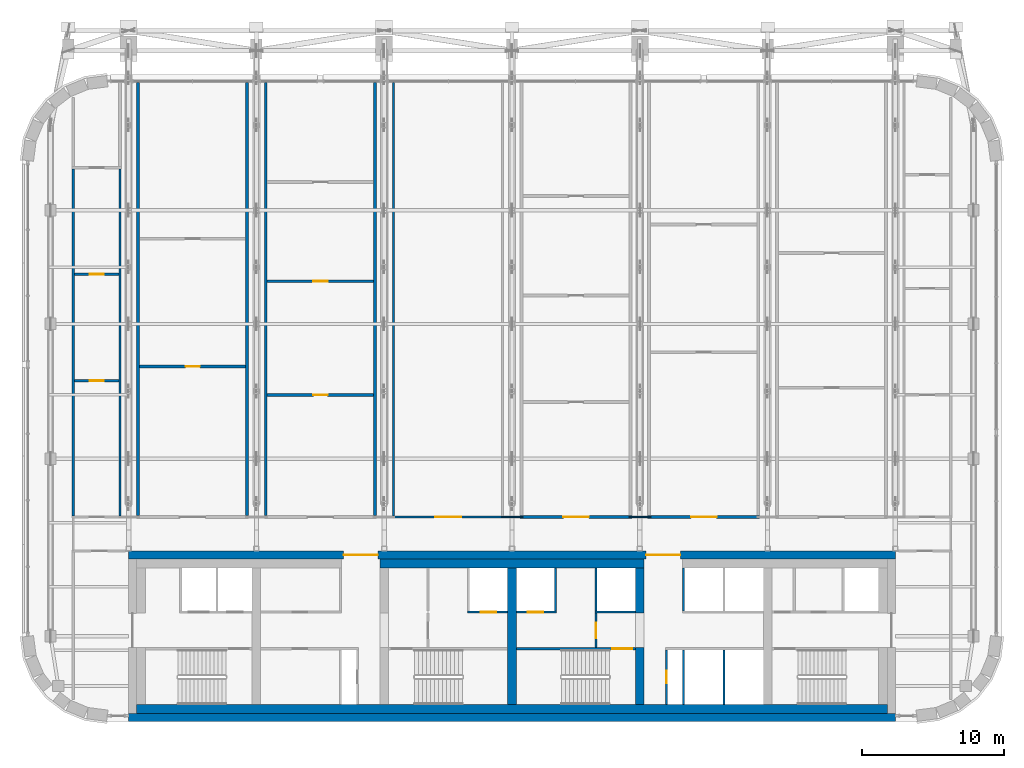
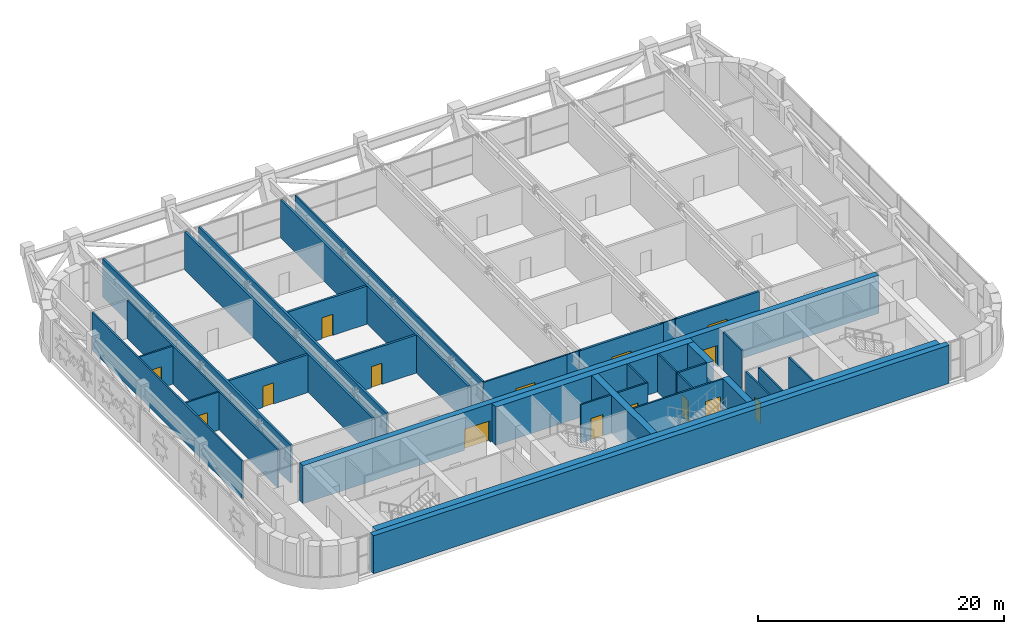
# One storey, part 19 of 28: 35 walls, 15 doors, 15 openings.
"""IFC4 building model written with IfcOpenShell, lengths in metres."""

from ifc_helpers import new_model, si_unit, direction, frame, frame_2d, origin, place, context, subcontext, project, spatial, rectangle, extrude, material, layer, layer_set, type_object, element, fill, save


model = new_model("IFC4")

# Units and contexts
model_context = context("Model", 3, precision=1e-05, world=origin(), true_north=direction((0.0, 1.0)))
body_context = subcontext(model_context, "Body", "Model", "MODEL_VIEW")
ifc_project = project(units=[si_unit("LENGTHUNIT", "METRE"), si_unit("AREAUNIT", "SQUARE_METRE"), si_unit("VOLUMEUNIT", "CUBIC_METRE"), si_unit("PLANEANGLEUNIT", "RADIAN"), si_unit("MASSUNIT", "GRAM", prefix="KILO")], contexts=[model_context])

# Site, building, storey
site_placement = place(None, origin())
site = spatial("IfcSite", under=ifc_project, at=site_placement, CompositionType="ELEMENT")
building_placement = place(site_placement, origin())
building = spatial("IfcBuilding", under=site, at=building_placement, Name="Zellij Exchange Tower", CompositionType="ELEMENT")
storey_placement = place(building_placement, frame((0.0, 0.0, 268.5)))
storey = spatial("IfcBuildingStorey", under=building, at=storey_placement, Name="L63", CompositionType="ELEMENT", Elevation=268.5)

# Walls
ifc_material_1 = material(Name="Concrete C50/60", Category="concrete")
ifc_layer_1 = layer(ifc_material_1, 0.60009765625)
ifc_layer_set_1 = layer_set([ifc_layer_1], Name="Concrete C50/60")
wall_type_1 = type_object("IfcWallType", Name="CORE-CW 600 C50/60", PredefinedType="SHEAR", material=ifc_layer_set_1)
wall_1_placement = place(storey_placement, frame((0.0, -12.800048828125, 0.0), z_axis=(0.0, 0.0, 1.0), x_axis=(0.0, 1.0, 0.0)))
element("IfcWall", 1, at=wall_1_placement, inside=storey, type_object=wall_type_1, Name="Core cross wall x 0 L63", PredefinedType="SHEAR", context=body_context, shape_type="SweptSolid", body=[
    extrude(rectangle(XDim=9.60009765625, YDim=0.60009765625, at=frame_2d((4.800048828125, 0.0))), origin(), (0.0, 0.0, 1.0), 3.780029296875),
])
wall_2_placement = place(storey_placement, frame((9.0, -12.800048828125, 0.0), z_axis=(0.0, 0.0, 1.0), x_axis=(0.0, 1.0, 0.0)))
element("IfcWall", 2, at=wall_2_placement, inside=storey, type_object=wall_type_1, Name="Core cross wall pier x 9 a L63", PredefinedType="SHEAR", context=body_context, shape_type="SweptSolid", body=[
    extrude(rectangle(XDim=4.0, YDim=0.60009765625, at=frame_2d((2.0, 0.0))), origin(), (0.0, 0.0, 1.0), 3.780029296875),
])
wall_3_placement = place(storey_placement, frame((9.0, -6.375, 0.0), z_axis=(0.0, 0.0, 1.0), x_axis=(0.0, 1.0, 0.0)))
element("IfcWall", 3, at=wall_3_placement, inside=storey, type_object=wall_type_1, Name="Core cross wall pier x 9 b L63", PredefinedType="SHEAR", context=body_context, shape_type="SweptSolid", body=[
    extrude(rectangle(XDim=3.175048828125, YDim=0.60009765625, at=frame_2d((1.58740234375, 0.0))), origin(), (0.0, 0.0, 1.0), 3.780029296875),
])
ifc_material_2 = material(Name="Concrete C30/37", Category="concrete")
ifc_layer_2 = layer(ifc_material_2, 0.64990234375)
ifc_layer_set_2 = layer_set([ifc_layer_2], Name="Concrete C30/37")
wall_type_2 = type_object("IfcWallType", Name="CORE-LW 650 C30/37", PredefinedType="SHEAR", material=ifc_layer_set_2)
wall_4_placement = place(storey_placement, frame((-9.300048828125, -2.875, 0.0), z_axis=(0.0, 0.0, 1.0), x_axis=(1.0, 0.0, 0.0)))
element("IfcWall", 4, at=wall_4_placement, inside=storey, type_object=wall_type_2, Name="Core wall lining front.1 L63", PredefinedType="SHEAR", context=body_context, shape_type="SweptSolid", body=[
    extrude(rectangle(XDim=18.60009765625, YDim=0.64990234375, at=frame_2d((9.300048828125, 0.0))), origin(), (0.0, 0.0, 1.0), 3.780029296875),
])
wall_5_placement = place(storey_placement, frame((-26.449951171875, -13.125, 0.0), z_axis=(0.0, 0.0, 1.0), x_axis=(1.0, 0.0, 0.0)))
element("IfcWall", 5, at=wall_5_placement, inside=storey, type_object=wall_type_2, Name="Core wall lining rear.0 L63", PredefinedType="SHEAR", context=body_context, shape_type="SweptSolid", body=[
    extrude(rectangle(XDim=52.89990234375, YDim=0.64990234375, at=frame_2d((26.449951171875, 0.0))), origin(), (0.0, 0.0, 1.0), 3.780029296875),
])

# Wall, opening, door
ifc_material_3 = material(Name="Gypsum shaft wall system")
ifc_layer_3 = layer(ifc_material_3, 0.14990234375)
ifc_layer_set_3 = layer_set([ifc_layer_3], Name="Gypsum shaft wall system")
wall_type_3 = type_object("IfcWallType", Name="CORE-PW 150 Firefighting lobby wall", PredefinedType="PARTITIONING", material=ifc_layer_set_3)
wall_6_placement = place(storey_placement, frame((5.925048828125, -8.800048828125, 0.0), z_axis=(0.0, 0.0, 1.0), x_axis=(0.0, 1.0, 0.0)))
wall_6 = element("IfcWall", 6, at=wall_6_placement, inside=storey, type_object=wall_type_3, Name="Firefighting lobby wall L63", PredefinedType="PARTITIONING", context=body_context, shape_type="SweptSolid", body=[
    extrude(rectangle(XDim=2.425048828125, YDim=0.14990234375, at=frame_2d((1.21240234375, 0.0))), origin(), (0.0, 0.0, 1.0), 3.780029296875),
])
opening_1_placement = place(wall_6_placement, frame((0.662109375, 0.0, 0.0)))
opening_1 = element("IfcOpeningElement", 7, at=opening_1_placement, cuts=wall_6, Name="Opening CA-33.13", PredefinedType="OPENING", context=body_context, shape_type="SweptSolid", body=[
    extrude(rectangle(XDim=1.10009765625, YDim=2.10009765625, at=frame_2d((0.550048828125, 1.050048828125))), frame((0.0, 0.0869140625, 0.0), z_axis=(0.0, -1.0, 0.0), x_axis=(1.0, 0.0, 0.0)), (0.0, 0.0, 1.0), 0.173828125),
])
ifc_material_4 = material(Name="Hollow metal fire door")
door_type_1 = type_object("IfcDoorType", Name="CORE-D F Firefighting lobby door 1100x2100 1 HR", OperationType="NOTDEFINED", PredefinedType="DOOR", material=ifc_material_4)
door_1_placement = place(opening_1_placement, origin())
door_1 = element("IfcDoor", 8, at=door_1_placement, inside=storey, type_object=door_type_1, Name="Firefighting lobby door CA-33.13", OperationType="SINGLE_SWING_RIGHT", OverallHeight=2.10009765625, OverallWidth=1.10009765625, PredefinedType="DOOR", context=body_context, shape_type="SweptSolid", body=[
    extrude(rectangle(XDim=1.10009765625, YDim=2.10009765625, at=frame_2d((0.550048828125, 1.050048828125))), frame((0.0, 0.02490234375, 0.0), z_axis=(0.0, -1.0, 0.0), x_axis=(1.0, 0.0, 0.0)), (0.0, 0.0, 1.0), 0.050048828125),
])
fill(opening_1, door_1)

# Walls
ifc_layer_4 = layer(ifc_material_3, 0.14990234375)
ifc_layer_set_4 = layer_set([ifc_layer_4], Name="Gypsum shaft wall system")
wall_type_4 = type_object("IfcWallType", Name="CORE-PW 150 Lift shaft wall", PredefinedType="PARTITIONING", material=ifc_layer_set_4)
for number, where, z_axis, x_axis, name in (
    (9, (3.074951171875, -6.22509765625, 0.0), (0.0, 0.0, 1.0), (0.0, 1.0, 0.0), "Lift shaft wall L63"),
    (10, (5.925048828125, -6.22509765625, 0.0), (0.0, 0.0, 1.0), (0.0, 1.0, 0.0), "Lift shaft wall L63"),
    (11, (12.074951171875, -6.22509765625, 0.0), (0.0, 0.0, 1.0), (0.0, 1.0, 0.0), "Lift shaft wall L63"),
):
    element("IfcWall", number, at=place(storey_placement, frame(where, z_axis=z_axis, x_axis=x_axis)), inside=storey, type_object=wall_type_4, Name=name, PredefinedType="PARTITIONING", context=body_context, shape_type="SweptSolid", body=[
        extrude(rectangle(XDim=3.025146484375, YDim=0.14990234375, at=frame_2d((1.5126953125, 0.0))), origin(), (0.0, 0.0, 1.0), 3.780029296875),
    ])
for number, where, z_axis, x_axis, name in (
    (12, (12.074951171875, -12.800048828125, 0.0), (0.0, 0.0, 1.0), (0.0, 1.0, 0.0), "Lift shaft wall L63"),
    (13, (14.925048828125, -12.800048828125, 0.0), (0.0, 0.0, 1.0), (0.0, 1.0, 0.0), "Lift shaft wall L63"),
):
    element("IfcWall", number, at=place(storey_placement, frame(where, z_axis=z_axis, x_axis=x_axis)), inside=storey, type_object=wall_type_4, Name=name, PredefinedType="PARTITIONING", context=body_context, shape_type="SweptSolid", body=[
        extrude(rectangle(XDim=3.85009765625, YDim=0.14990234375, at=frame_2d((1.925048828125, 0.0))), origin(), (0.0, 0.0, 1.0), 3.780029296875),
    ])

# Wall, opening, door
wall_7_placement = place(storey_placement, frame((-3.14990234375, -6.300048828125, 0.0), z_axis=(0.0, 0.0, 1.0), x_axis=(1.0, 0.0, 0.0)))
wall_7 = element("IfcWall", 14, at=wall_7_placement, inside=storey, type_object=wall_type_4, Name="Lift shaft wall L63", PredefinedType="PARTITIONING", context=body_context, shape_type="SweptSolid", body=[
    extrude(rectangle(XDim=2.849853515625, YDim=0.14990234375, at=frame_2d((1.4248046875, 0.0))), origin(), (0.0, 0.0, 1.0), 3.780029296875),
])
opening_2_placement = place(wall_7_placement, frame((0.949951171875, 0.0, 0.0)))
opening_2 = element("IfcOpeningElement", 15, at=opening_2_placement, cuts=wall_7, Name="Opening CA-33.11", PredefinedType="OPENING", context=body_context, shape_type="SweptSolid", body=[
    extrude(rectangle(XDim=1.10009765625, YDim=2.10009765625, at=frame_2d((0.550048828125, 1.050048828125))), frame((0.0, 0.0869140625, 0.0), z_axis=(0.0, -1.0, 0.0), x_axis=(1.0, 0.0, 0.0)), (0.0, 0.0, 1.0), 0.173828125),
])
door_type_2 = type_object("IfcDoorType", Name="CORE-D LD Lift landing door 1100x2100 1.5 HR", OperationType="NOTDEFINED", PredefinedType="DOOR", material=ifc_material_4)
door_2_placement = place(opening_2_placement, origin())
door_2 = element("IfcDoor", 16, at=door_2_placement, inside=storey, type_object=door_type_2, Name="Lift landing door CA-33.11", OperationType="SLIDING_TO_LEFT", OverallHeight=2.10009765625, OverallWidth=1.10009765625, PredefinedType="DOOR", context=body_context, shape_type="SweptSolid", body=[
    extrude(rectangle(XDim=1.10009765625, YDim=2.10009765625, at=frame_2d((0.550048828125, 1.050048828125))), frame((0.0, 0.02490234375, 0.0), z_axis=(0.0, -1.0, 0.0), x_axis=(1.0, 0.0, 0.0)), (0.0, 0.0, 1.0), 0.050048828125),
])
fill(opening_2, door_2)

wall_8_placement = place(storey_placement, frame((0.300048828125, -6.300048828125, 0.0), z_axis=(0.0, 0.0, 1.0), x_axis=(1.0, 0.0, 0.0)))
wall_8 = element("IfcWall", 17, at=wall_8_placement, inside=storey, type_object=wall_type_4, Name="Lift shaft wall L63", PredefinedType="PARTITIONING", context=body_context, shape_type="SweptSolid", body=[
    extrude(rectangle(XDim=2.849853515625, YDim=0.14990234375, at=frame_2d((1.4248046875, 0.0))), origin(), (0.0, 0.0, 1.0), 3.780029296875),
])
opening_3_placement = place(wall_8_placement, frame((0.800048828125, 0.0, 0.0)))
opening_3 = element("IfcOpeningElement", 18, at=opening_3_placement, cuts=wall_8, Name="Opening CA-33.12", PredefinedType="OPENING", context=body_context, shape_type="SweptSolid", body=[
    extrude(rectangle(XDim=1.10009765625, YDim=2.10009765625, at=frame_2d((0.550048828125, 1.050048828125))), frame((0.0, 0.0869140625, 0.0), z_axis=(0.0, -1.0, 0.0), x_axis=(1.0, 0.0, 0.0)), (0.0, 0.0, 1.0), 0.173828125),
])
door_3_placement = place(opening_3_placement, origin())
door_3 = element("IfcDoor", 19, at=door_3_placement, inside=storey, type_object=door_type_2, Name="Lift landing door CA-33.12", OperationType="SLIDING_TO_RIGHT", OverallHeight=2.10009765625, OverallWidth=1.10009765625, PredefinedType="DOOR", context=body_context, shape_type="SweptSolid", body=[
    extrude(rectangle(XDim=1.10009765625, YDim=2.10009765625, at=frame_2d((0.550048828125, 1.050048828125))), frame((0.0, 0.02490234375, 0.0), z_axis=(0.0, -1.0, 0.0), x_axis=(1.0, 0.0, 0.0)), (0.0, 0.0, 1.0), 0.050048828125),
])
fill(opening_3, door_3)

# Wall
wall_9_placement = place(storey_placement, frame((5.85009765625, -6.300048828125, 0.0), z_axis=(0.0, 0.0, 1.0), x_axis=(1.0, 0.0, 0.0)))
element("IfcWall", 20, at=wall_9_placement, inside=storey, type_object=wall_type_4, Name="Lift shaft wall L63", PredefinedType="PARTITIONING", context=body_context, shape_type="SweptSolid", body=[
    extrude(rectangle(XDim=2.849853515625, YDim=0.14990234375, at=frame_2d((1.4248046875, 0.0))), origin(), (0.0, 0.0, 1.0), 3.780029296875),
])

# Wall, opening, door
ifc_layer_5 = layer(ifc_material_3, 0.14990234375)
ifc_layer_set_5 = layer_set([ifc_layer_5], Name="Gypsum shaft wall system")
wall_type_5 = type_object("IfcWallType", Name="CORE-PW 150 Plant room wall", PredefinedType="PARTITIONING", material=ifc_layer_set_5)
wall_10_placement = place(storey_placement, frame((10.875, -12.800048828125, 0.0), z_axis=(0.0, 0.0, 1.0), x_axis=(0.0, 1.0, 0.0)))
wall_10 = element("IfcWall", 21, at=wall_10_placement, inside=storey, type_object=wall_type_5, Name="Plant room wall L63", PredefinedType="PARTITIONING", context=body_context, shape_type="SweptSolid", body=[
    extrude(rectangle(XDim=3.85009765625, YDim=0.14990234375, at=frame_2d((1.925048828125, 0.0))), origin(), (0.0, 0.0, 1.0), 3.780029296875),
])
opening_4_placement = place(wall_10_placement, frame((1.47509765625, 0.0, 0.0)))
opening_4 = element("IfcOpeningElement", 22, at=opening_4_placement, cuts=wall_10, Name="Opening CA-33.16", PredefinedType="OPENING", context=body_context, shape_type="SweptSolid", body=[
    extrude(rectangle(XDim=0.89990234375, YDim=2.10009765625, at=frame_2d((0.449951171875, 1.050048828125))), frame((0.0, 0.0869140625, 0.0), z_axis=(0.0, -1.0, 0.0), x_axis=(1.0, 0.0, 0.0)), (0.0, 0.0, 1.0), 0.173828125),
])
door_type_3 = type_object("IfcDoorType", Name="CORE-D RD Riser door 900x2100 1.5 HR", OperationType="NOTDEFINED", PredefinedType="DOOR", material=ifc_material_4)
door_4_placement = place(opening_4_placement, origin())
door_4 = element("IfcDoor", 23, at=door_4_placement, inside=storey, type_object=door_type_3, Name="Riser door CA-33.16", OperationType="SINGLE_SWING_LEFT", OverallHeight=2.10009765625, OverallWidth=0.89990234375, PredefinedType="DOOR", context=body_context, shape_type="SweptSolid", body=[
    extrude(rectangle(XDim=0.89990234375, YDim=2.10009765625, at=frame_2d((0.449951171875, 1.050048828125))), frame((0.0, 0.02490234375, 0.0), z_axis=(0.0, -1.0, 0.0), x_axis=(1.0, 0.0, 0.0)), (0.0, 0.0, 1.0), 0.050048828125),
])
fill(opening_4, door_4)

# Wall, openings, doors
ifc_layer_6 = layer(ifc_material_1, 0.550048828125)
ifc_layer_set_6 = layer_set([ifc_layer_6], Name="Concrete C50/60")
wall_type_6 = type_object("IfcWallType", Name="CORE-SW 550 C50/60", PredefinedType="SHEAR", material=ifc_layer_set_6)
wall_11_placement = place(storey_placement, frame((-27.0, -2.27490234375, 0.0), z_axis=(0.0, 0.0, 1.0), x_axis=(1.0, 0.0, 0.0)))
wall_11 = element("IfcWall", 24, at=wall_11_placement, inside=storey, type_object=wall_type_6, Name="Core shear wall front L63", PredefinedType="SHEAR", context=body_context, shape_type="SweptSolid", body=[
    extrude(rectangle(XDim=54.0, YDim=0.550048828125, at=frame_2d((27.0, 0.0))), origin(), (0.0, 0.0, 1.0), 3.780029296875),
])
opening_5_placement = place(wall_11_placement, frame((15.14990234375, 0.0, 0.0)))
opening_5 = element("IfcOpeningElement", 25, at=opening_5_placement, cuts=wall_11, Name="Opening CA-33.08", PredefinedType="OPENING", context=body_context, shape_type="SweptSolid", body=[
    extrude(rectangle(XDim=2.39990234375, YDim=2.10009765625, at=frame_2d((1.199951171875, 1.050048828125))), frame((0.0, 0.287109375, 0.0), z_axis=(0.0, -1.0, 0.0), x_axis=(1.0, 0.0, 0.0)), (0.0, 0.0, 1.0), 0.573974609375),
])
opening_6_placement = place(wall_11_placement, frame((36.449951171875, 0.0, 0.0)))
opening_6 = element("IfcOpeningElement", 26, at=opening_6_placement, cuts=wall_11, Name="Opening CA-33.15", PredefinedType="OPENING", context=body_context, shape_type="SweptSolid", body=[
    extrude(rectangle(XDim=2.39990234375, YDim=2.10009765625, at=frame_2d((1.199951171875, 1.050048828125))), frame((0.0, 0.287109375, 0.0), z_axis=(0.0, -1.0, 0.0), x_axis=(1.0, 0.0, 0.0)), (0.0, 0.0, 1.0), 0.573974609375),
])
door_type_4 = type_object("IfcDoorType", Name="CORE-D CE Core entrance door 2400x2100 20 MIN", OperationType="NOTDEFINED", PredefinedType="DOOR", material=ifc_material_4)
door_5_placement = place(opening_5_placement, origin())
door_5 = element("IfcDoor", 27, at=door_5_placement, inside=storey, type_object=door_type_4, Name="Core entrance door CA-33.08", OperationType="DOUBLE_DOOR_SINGLE_SWING", OverallHeight=2.10009765625, OverallWidth=2.39990234375, PredefinedType="DOOR", context=body_context, shape_type="SweptSolid", body=[
    extrude(rectangle(XDim=2.39990234375, YDim=2.10009765625, at=frame_2d((1.199951171875, 1.050048828125))), frame((0.0, 0.02490234375, 0.0), z_axis=(0.0, -1.0, 0.0), x_axis=(1.0, 0.0, 0.0)), (0.0, 0.0, 1.0), 0.050048828125),
])
fill(opening_5, door_5)
door_6_placement = place(opening_6_placement, origin())
door_6 = element("IfcDoor", 28, at=door_6_placement, inside=storey, type_object=door_type_4, Name="Core entrance door CA-33.15", OperationType="DOUBLE_DOOR_SINGLE_SWING", OverallHeight=2.10009765625, OverallWidth=2.39990234375, PredefinedType="DOOR", context=body_context, shape_type="SweptSolid", body=[
    extrude(rectangle(XDim=2.39990234375, YDim=2.10009765625, at=frame_2d((1.199951171875, 1.050048828125))), frame((0.0, 0.02490234375, 0.0), z_axis=(0.0, -1.0, 0.0), x_axis=(1.0, 0.0, 0.0)), (0.0, 0.0, 1.0), 0.050048828125),
])
fill(opening_6, door_6)

# Wall
wall_12_placement = place(storey_placement, frame((-27.0, -13.72509765625, 0.0), z_axis=(0.0, 0.0, 1.0), x_axis=(1.0, 0.0, 0.0)))
element("IfcWall", 29, at=wall_12_placement, inside=storey, type_object=wall_type_6, Name="Core shear wall rear L63", PredefinedType="SHEAR", context=body_context, shape_type="SweptSolid", body=[
    extrude(rectangle(XDim=54.0, YDim=0.550048828125, at=frame_2d((27.0, 0.0))), origin(), (0.0, 0.0, 1.0), 3.780029296875),
])

# Wall, opening, door
ifc_layer_7 = layer(ifc_material_1, 0.14990234375)
ifc_layer_set_7 = layer_set([ifc_layer_7], Name="Concrete C50/60")
wall_type_7 = type_object("IfcWallType", Name="CORE-SWS 150 C50/60", PredefinedType="SHEAR", material=ifc_layer_set_7)
wall_13_placement = place(storey_placement, frame((0.300048828125, -8.875, 0.0), z_axis=(0.0, 0.0, 1.0), x_axis=(1.0, 0.0, 0.0)))
wall_13 = element("IfcWall", 30, at=wall_13_placement, inside=storey, type_object=wall_type_7, Name="Stair enclosure wall L63", PredefinedType="SHEAR", context=body_context, shape_type="SweptSolid", body=[
    extrude(rectangle(XDim=8.39990234375, YDim=0.14990234375, at=frame_2d((4.199951171875, 0.0))), origin(), (0.0, 0.0, 1.0), 3.780029296875),
])
opening_7_placement = place(wall_13_placement, frame((6.77490234375, 0.0, 0.0)))
opening_7 = element("IfcOpeningElement", 31, at=opening_7_placement, cuts=wall_13, Name="Opening CA-33.14", PredefinedType="OPENING", context=body_context, shape_type="SweptSolid", body=[
    extrude(rectangle(XDim=1.39990234375, YDim=2.10009765625, at=frame_2d((0.699951171875, 1.050048828125))), frame((0.0, 0.0869140625, 0.0), z_axis=(0.0, -1.0, 0.0), x_axis=(1.0, 0.0, 0.0)), (0.0, 0.0, 1.0), 0.173828125),
])
door_type_5 = type_object("IfcDoorType", Name="CORE-D SD Stair door 1400x2100 1.5 HR", OperationType="NOTDEFINED", PredefinedType="DOOR", material=ifc_material_4)
door_7_placement = place(opening_7_placement, origin())
door_7 = element("IfcDoor", 32, at=door_7_placement, inside=storey, type_object=door_type_5, Name="Stair door CA-33.14", OperationType="DOUBLE_DOOR_SINGLE_SWING", OverallHeight=2.10009765625, OverallWidth=1.39990234375, PredefinedType="DOOR", context=body_context, shape_type="SweptSolid", body=[
    extrude(rectangle(XDim=1.39990234375, YDim=2.10009765625, at=frame_2d((0.699951171875, 1.050048828125))), frame((0.0, 0.02490234375, 0.0), z_axis=(0.0, -1.0, 0.0), x_axis=(1.0, 0.0, 0.0)), (0.0, 0.0, 1.0), 0.050048828125),
])
fill(opening_7, door_7)

# Walls
ifc_material_5 = material(Name="Blockwork fire wall", Category="masonry")
ifc_layer_8 = layer(ifc_material_5, 0.199951171875)
ifc_layer_set_8 = layer_set([ifc_layer_8], Name="Blockwork fire wall")
wall_type_8 = type_object("IfcWallType", Name="FIT-BLOCKWORK-200-EI120", PredefinedType="PARTITIONING", material=ifc_layer_set_8)
for number, where, z_axis, x_axis, name in (
    (33, (-26.340087890625, 0.5, 0.0), (0.0, 0.0, 1.0), (0.0, 1.0, 0.0), "FIT-BLOCKWORK-200-EI120 012"),
    (34, (-18.659912109375, 0.5, 0.0), (0.0, 0.0, 1.0), (0.0, 1.0, 0.0), "FIT-BLOCKWORK-200-EI120 014"),
    (35, (-17.340087890625, 0.5, 0.0), (0.0, 0.0, 1.0), (0.0, 1.0, 0.0), "FIT-BLOCKWORK-200-EI120 016"),
    (36, (-9.659912109375, 0.5, 0.0), (0.0, 0.0, 1.0), (0.0, 1.0, 0.0), "FIT-BLOCKWORK-200-EI120 018"),
):
    element("IfcWall", number, at=place(storey_placement, frame(where, z_axis=z_axis, x_axis=x_axis)), inside=storey, type_object=wall_type_8, Name=name, PredefinedType="PARTITIONING", context=body_context, shape_type="SweptSolid", body=[
        extrude(rectangle(XDim=30.49609375, YDim=0.199951171875, at=frame_2d((15.248046875, 0.0))), origin(), (0.0, 0.0, 1.0), 3.780029296875),
    ])

# Wall, opening, door
wall_14_placement = place(storey_placement, frame((0.56005859375, 0.39990234375, 0.0), z_axis=(0.0, 0.0, 1.0), x_axis=(1.0, 0.0, 0.0)))
wall_14 = element("IfcWall", 37, at=wall_14_placement, inside=storey, type_object=wall_type_8, Name="FIT-BLOCKWORK-200-EI120 023", PredefinedType="PARTITIONING", context=body_context, shape_type="SweptSolid", body=[
    extrude(rectangle(XDim=7.8798828125, YDim=0.199951171875, at=frame_2d((3.93994140625, 0.0))), origin(), (0.0, 0.0, 1.0), 3.780029296875),
])
opening_8_placement = place(wall_14_placement, frame((3.050048828125, 0.0, 0.0)))
opening_8 = element("IfcOpeningElement", 38, at=opening_8_placement, cuts=wall_14, Name="Opening PL63.07", PredefinedType="OPENING", context=body_context, shape_type="SweptSolid", body=[
    extrude(rectangle(XDim=1.800048828125, YDim=2.10009765625, at=frame_2d((0.89990234375, 1.050048828125))), frame((0.0, 0.11181640625, 0.0), z_axis=(0.0, -1.0, 0.0), x_axis=(1.0, 0.0, 0.0)), (0.0, 0.0, 1.0), 0.223876953125),
])
ifc_material_6 = material(Name="Steel fire door set", Category="steel")
door_type_6 = type_object("IfcDoorType", Name="FIT-D5-FIRE-DOUBLE-1800X2100", OperationType="DOUBLE_DOOR_SINGLE_SWING", PredefinedType="DOOR", material=ifc_material_6)
door_8_placement = place(opening_8_placement, origin())
door_8 = element("IfcDoor", 39, at=door_8_placement, inside=storey, type_object=door_type_6, Name="Door PL63.07", OperationType="DOUBLE_DOOR_SINGLE_SWING", OverallHeight=2.10009765625, OverallWidth=1.800048828125, PredefinedType="DOOR", context=body_context, shape_type="SweptSolid", body=[
    extrude(rectangle(XDim=1.800048828125, YDim=2.10009765625, at=frame_2d((0.89990234375, 1.050048828125))), frame((0.0, 0.02490234375, 0.0), z_axis=(0.0, -1.0, 0.0), x_axis=(1.0, 0.0, 0.0)), (0.0, 0.0, 1.0), 0.050048828125),
])
fill(opening_8, door_8)

wall_15_placement = place(storey_placement, frame((9.56005859375, 0.39990234375, 0.0), z_axis=(0.0, 0.0, 1.0), x_axis=(1.0, 0.0, 0.0)))
wall_15 = element("IfcWall", 40, at=wall_15_placement, inside=storey, type_object=wall_type_8, Name="FIT-BLOCKWORK-200-EI120 027", PredefinedType="PARTITIONING", context=body_context, shape_type="SweptSolid", body=[
    extrude(rectangle(XDim=7.8798828125, YDim=0.199951171875, at=frame_2d((3.93994140625, 0.0))), origin(), (0.0, 0.0, 1.0), 3.780029296875),
])
opening_9_placement = place(wall_15_placement, frame((3.050048828125, 0.0, 0.0)))
opening_9 = element("IfcOpeningElement", 41, at=opening_9_placement, cuts=wall_15, Name="Opening PL63.08", PredefinedType="OPENING", context=body_context, shape_type="SweptSolid", body=[
    extrude(rectangle(XDim=1.800048828125, YDim=2.10009765625, at=frame_2d((0.89990234375, 1.050048828125))), frame((0.0, 0.11181640625, 0.0), z_axis=(0.0, -1.0, 0.0), x_axis=(1.0, 0.0, 0.0)), (0.0, 0.0, 1.0), 0.223876953125),
])
door_9_placement = place(opening_9_placement, origin())
door_9 = element("IfcDoor", 42, at=door_9_placement, inside=storey, type_object=door_type_6, Name="Door PL63.08", OperationType="DOUBLE_DOOR_SINGLE_SWING", OverallHeight=2.10009765625, OverallWidth=1.800048828125, PredefinedType="DOOR", context=body_context, shape_type="SweptSolid", body=[
    extrude(rectangle(XDim=1.800048828125, YDim=2.10009765625, at=frame_2d((0.89990234375, 1.050048828125))), frame((0.0, 0.02490234375, 0.0), z_axis=(0.0, -1.0, 0.0), x_axis=(1.0, 0.0, 0.0)), (0.0, 0.0, 1.0), 0.050048828125),
])
fill(opening_9, door_9)

wall_16_placement = place(storey_placement, frame((-17.239990234375, 9.0, 0.0), z_axis=(0.0, 0.0, 1.0), x_axis=(1.0, 0.0, 0.0)))
wall_16 = element("IfcWall", 43, at=wall_16_placement, inside=storey, type_object=wall_type_8, Name="FIT-BLOCKWORK-200-EI120 039", PredefinedType="PARTITIONING", context=body_context, shape_type="SweptSolid", body=[
    extrude(rectangle(XDim=7.47998046875, YDim=0.199951171875, at=frame_2d((3.739990234375, 0.0))), origin(), (0.0, 0.0, 1.0), 3.780029296875),
])
opening_10_placement = place(wall_16_placement, frame((3.25, 0.0, 0.0)))
opening_10 = element("IfcOpeningElement", 44, at=opening_10_placement, cuts=wall_16, Name="Opening PL63.12", PredefinedType="OPENING", context=body_context, shape_type="SweptSolid", body=[
    extrude(rectangle(XDim=1.0, YDim=2.10009765625, at=frame_2d((0.5, 1.050048828125))), frame((0.0, 0.11181640625, 0.0), z_axis=(0.0, -1.0, 0.0), x_axis=(1.0, 0.0, 0.0)), (0.0, 0.0, 1.0), 0.223876953125),
])
door_type_7 = type_object("IfcDoorType", Name="FIT-D4-FIRE-1000X2100", OperationType="SINGLE_SWING_LEFT", PredefinedType="DOOR", material=ifc_material_6)
door_10_placement = place(opening_10_placement, origin())
door_10 = element("IfcDoor", 45, at=door_10_placement, inside=storey, type_object=door_type_7, Name="Door PL63.12", OperationType="SINGLE_SWING_RIGHT", OverallHeight=2.10009765625, OverallWidth=1.0, PredefinedType="DOOR", context=body_context, shape_type="SweptSolid", body=[
    extrude(rectangle(XDim=1.0, YDim=2.10009765625, at=frame_2d((0.5, 1.050048828125))), frame((0.0, 0.02490234375, 0.0), z_axis=(0.0, -1.0, 0.0), x_axis=(1.0, 0.0, 0.0)), (0.0, 0.0, 1.0), 0.050048828125),
])
fill(opening_10, door_10)

wall_17_placement = place(storey_placement, frame((-26.239990234375, 11.0, 0.0), z_axis=(0.0, 0.0, 1.0), x_axis=(1.0, 0.0, 0.0)))
wall_17 = element("IfcWall", 46, at=wall_17_placement, inside=storey, type_object=wall_type_8, Name="FIT-BLOCKWORK-200-EI120 043", PredefinedType="PARTITIONING", context=body_context, shape_type="SweptSolid", body=[
    extrude(rectangle(XDim=7.47998046875, YDim=0.199951171875, at=frame_2d((3.739990234375, 0.0))), origin(), (0.0, 0.0, 1.0), 3.780029296875),
])
opening_11_placement = place(wall_17_placement, frame((3.25, 0.0, 0.0)))
opening_11 = element("IfcOpeningElement", 47, at=opening_11_placement, cuts=wall_17, Name="Opening PL63.16", PredefinedType="OPENING", context=body_context, shape_type="SweptSolid", body=[
    extrude(rectangle(XDim=1.0, YDim=2.10009765625, at=frame_2d((0.5, 1.050048828125))), frame((0.0, 0.11181640625, 0.0), z_axis=(0.0, -1.0, 0.0), x_axis=(1.0, 0.0, 0.0)), (0.0, 0.0, 1.0), 0.223876953125),
])
door_11_placement = place(opening_11_placement, origin())
door_11 = element("IfcDoor", 48, at=door_11_placement, inside=storey, type_object=door_type_7, Name="Door PL63.16", OperationType="SINGLE_SWING_RIGHT", OverallHeight=2.10009765625, OverallWidth=1.0, PredefinedType="DOOR", context=body_context, shape_type="SweptSolid", body=[
    extrude(rectangle(XDim=1.0, YDim=2.10009765625, at=frame_2d((0.5, 1.050048828125))), frame((0.0, 0.02490234375, 0.0), z_axis=(0.0, -1.0, 0.0), x_axis=(1.0, 0.0, 0.0)), (0.0, 0.0, 1.0), 0.050048828125),
])
fill(opening_11, door_11)

wall_18_placement = place(storey_placement, frame((-17.239990234375, 17.0, 0.0), z_axis=(0.0, 0.0, 1.0), x_axis=(1.0, 0.0, 0.0)))
wall_18 = element("IfcWall", 49, at=wall_18_placement, inside=storey, type_object=wall_type_8, Name="FIT-BLOCKWORK-200-EI120 047", PredefinedType="PARTITIONING", context=body_context, shape_type="SweptSolid", body=[
    extrude(rectangle(XDim=7.47998046875, YDim=0.199951171875, at=frame_2d((3.739990234375, 0.0))), origin(), (0.0, 0.0, 1.0), 3.780029296875),
])
opening_12_placement = place(wall_18_placement, frame((3.25, 0.0, 0.0)))
opening_12 = element("IfcOpeningElement", 50, at=opening_12_placement, cuts=wall_18, Name="Opening PL63.20", PredefinedType="OPENING", context=body_context, shape_type="SweptSolid", body=[
    extrude(rectangle(XDim=1.0, YDim=2.10009765625, at=frame_2d((0.5, 1.050048828125))), frame((0.0, 0.11181640625, 0.0), z_axis=(0.0, -1.0, 0.0), x_axis=(1.0, 0.0, 0.0)), (0.0, 0.0, 1.0), 0.223876953125),
])
door_12_placement = place(opening_12_placement, origin())
door_12 = element("IfcDoor", 51, at=door_12_placement, inside=storey, type_object=door_type_7, Name="Door PL63.20", OperationType="SINGLE_SWING_RIGHT", OverallHeight=2.10009765625, OverallWidth=1.0, PredefinedType="DOOR", context=body_context, shape_type="SweptSolid", body=[
    extrude(rectangle(XDim=1.0, YDim=2.10009765625, at=frame_2d((0.5, 1.050048828125))), frame((0.0, 0.02490234375, 0.0), z_axis=(0.0, -1.0, 0.0), x_axis=(1.0, 0.0, 0.0)), (0.0, 0.0, 1.0), 0.050048828125),
])
fill(opening_12, door_12)

# Walls
ifc_material_7 = material(Name="Gypsum board partition on steel studs", Category="steel")
ifc_layer_9 = layer(ifc_material_7, 0.10009765625)
ifc_layer_set_9 = layer_set([ifc_layer_9], Name="Gypsum board partition on steel studs")
wall_type_9 = type_object("IfcWallType", Name="FIT-PARTITION-100", PredefinedType="PARTITIONING", material=ifc_layer_set_9)
wall_19_placement = place(storey_placement, frame((-0.735107421875, 0.39990234375, 0.0), z_axis=(0.0, 0.0, 1.0), x_axis=(1.0, 0.0, 0.0)))
element("IfcWall", 52, at=wall_19_placement, inside=storey, type_object=wall_type_9, Name="FIT-PARTITION-100 021", PredefinedType="PARTITIONING", context=body_context, shape_type="SweptSolid", body=[
    extrude(rectangle(XDim=1.4951171875, YDim=0.10009765625, at=frame_2d((0.74755859375, 0.0))), origin(), (0.0, 0.0, 1.0), 3.780029296875),
])
wall_20_placement = place(storey_placement, frame((8.239990234375, 0.39990234375, 0.0), z_axis=(0.0, 0.0, 1.0), x_axis=(1.0, 0.0, 0.0)))
element("IfcWall", 53, at=wall_20_placement, inside=storey, type_object=wall_type_9, Name="FIT-PARTITION-100 025", PredefinedType="PARTITIONING", context=body_context, shape_type="SweptSolid", body=[
    extrude(rectangle(XDim=1.52001953125, YDim=0.10009765625, at=frame_2d((0.760009765625, 0.0))), origin(), (0.0, 0.0, 1.0), 3.780029296875),
])
ifc_material_8 = material(Name="Gypsum board shaft-wall partition", Category="gypsum")
ifc_layer_10 = layer(ifc_material_8, 0.14990234375)
ifc_layer_set_10 = layer_set([ifc_layer_10], Name="Gypsum board shaft-wall partition")
wall_type_10 = type_object("IfcWallType", Name="FIT-PARTITION-150-EI60", PredefinedType="PARTITIONING", material=ifc_layer_set_10)
for number, where, z_axis, x_axis, name in (
    (54, (-30.89990234375, 0.47509765625, 0.0), (0.0, 0.0, 1.0), (0.0, 1.0, 0.0), "FIT-PARTITION-150-EI60 008"),
    (55, (-27.60009765625, 0.47509765625, 0.0), (0.0, 0.0, 1.0), (0.0, 1.0, 0.0), "FIT-PARTITION-150-EI60 010"),
):
    element("IfcWall", number, at=place(storey_placement, frame(where, z_axis=z_axis, x_axis=x_axis)), inside=storey, type_object=wall_type_10, Name=name, PredefinedType="PARTITIONING", context=body_context, shape_type="SweptSolid", body=[
        extrude(rectangle(XDim=24.4248046875, YDim=0.14990234375, at=frame_2d((12.21240234375, 0.0))), origin(), (0.0, 0.0, 1.0), 3.780029296875),
    ])

# Wall, opening, door
wall_21_placement = place(storey_placement, frame((-8.4150390625, 0.39990234375, 0.0), z_axis=(0.0, 0.0, 1.0), x_axis=(1.0, 0.0, 0.0)))
wall_21 = element("IfcWall", 56, at=wall_21_placement, inside=storey, type_object=wall_type_10, Name="FIT-PARTITION-150-EI60 019", PredefinedType="PARTITIONING", context=body_context, shape_type="SweptSolid", body=[
    extrude(rectangle(XDim=7.830078125, YDim=0.14990234375, at=frame_2d((3.9150390625, 0.0))), origin(), (0.0, 0.0, 1.0), 3.780029296875),
])
opening_13_placement = place(wall_21_placement, frame((3.02490234375, 0.0, 0.0)))
opening_13 = element("IfcOpeningElement", 57, at=opening_13_placement, cuts=wall_21, Name="Opening PL63.06", PredefinedType="OPENING", context=body_context, shape_type="SweptSolid", body=[
    extrude(rectangle(XDim=1.800048828125, YDim=2.10009765625, at=frame_2d((0.89990234375, 1.050048828125))), frame((0.0, 0.0869140625, 0.0), z_axis=(0.0, -1.0, 0.0), x_axis=(1.0, 0.0, 0.0)), (0.0, 0.0, 1.0), 0.173828125),
])
door_13_placement = place(opening_13_placement, origin())
door_13 = element("IfcDoor", 58, at=door_13_placement, inside=storey, type_object=door_type_6, Name="Door PL63.06", OperationType="DOUBLE_DOOR_SINGLE_SWING", OverallHeight=2.10009765625, OverallWidth=1.800048828125, PredefinedType="DOOR", context=body_context, shape_type="SweptSolid", body=[
    extrude(rectangle(XDim=1.800048828125, YDim=2.10009765625, at=frame_2d((0.89990234375, 1.050048828125))), frame((0.0, 0.02490234375, 0.0), z_axis=(0.0, -1.0, 0.0), x_axis=(1.0, 0.0, 0.0)), (0.0, 0.0, 1.0), 0.050048828125),
])
fill(opening_13, door_13)

# Wall
wall_22_placement = place(storey_placement, frame((-8.340087890625, 0.47509765625, 0.0), z_axis=(0.0, 0.0, 1.0), x_axis=(0.0, 1.0, 0.0)))
element("IfcWall", 59, at=wall_22_placement, inside=storey, type_object=wall_type_10, Name="FIT-PARTITION-150-EI60 020", PredefinedType="PARTITIONING", context=body_context, shape_type="SweptSolid", body=[
    extrude(rectangle(XDim=30.52099609375, YDim=0.14990234375, at=frame_2d((15.260498046875, 0.0))), origin(), (0.0, 0.0, 1.0), 3.780029296875),
])

# Wall, opening, door
wall_23_placement = place(storey_placement, frame((-30.824951171875, 10.0, 0.0), z_axis=(0.0, 0.0, 1.0), x_axis=(1.0, 0.0, 0.0)))
wall_23 = element("IfcWall", 60, at=wall_23_placement, inside=storey, type_object=wall_type_10, Name="FIT-PARTITION-150-EI60 042", PredefinedType="PARTITIONING", context=body_context, shape_type="SweptSolid", body=[
    extrude(rectangle(XDim=3.14990234375, YDim=0.14990234375, at=frame_2d((1.574951171875, 0.0))), origin(), (0.0, 0.0, 1.0), 3.780029296875),
])
opening_14_placement = place(wall_23_placement, frame((1.074951171875, 0.0, 0.0)))
opening_14 = element("IfcOpeningElement", 61, at=opening_14_placement, cuts=wall_23, Name="Opening PL63.15", PredefinedType="OPENING", context=body_context, shape_type="SweptSolid", body=[
    extrude(rectangle(XDim=1.0, YDim=2.10009765625, at=frame_2d((0.5, 1.050048828125))), frame((0.0, 0.0869140625, 0.0), z_axis=(0.0, -1.0, 0.0), x_axis=(1.0, 0.0, 0.0)), (0.0, 0.0, 1.0), 0.173828125),
])
door_14_placement = place(opening_14_placement, origin())
door_14 = element("IfcDoor", 62, at=door_14_placement, inside=storey, type_object=door_type_7, Name="Door PL63.15", OperationType="SINGLE_SWING_RIGHT", OverallHeight=2.10009765625, OverallWidth=1.0, PredefinedType="DOOR", context=body_context, shape_type="SweptSolid", body=[
    extrude(rectangle(XDim=1.0, YDim=2.10009765625, at=frame_2d((0.5, 1.050048828125))), frame((0.0, 0.02490234375, 0.0), z_axis=(0.0, -1.0, 0.0), x_axis=(1.0, 0.0, 0.0)), (0.0, 0.0, 1.0), 0.050048828125),
])
fill(opening_14, door_14)

wall_24_placement = place(storey_placement, frame((-30.824951171875, 17.5, 0.0), z_axis=(0.0, 0.0, 1.0), x_axis=(1.0, 0.0, 0.0)))
wall_24 = element("IfcWall", 63, at=wall_24_placement, inside=storey, type_object=wall_type_10, Name="FIT-PARTITION-150-EI60 048", PredefinedType="PARTITIONING", context=body_context, shape_type="SweptSolid", body=[
    extrude(rectangle(XDim=3.14990234375, YDim=0.14990234375, at=frame_2d((1.574951171875, 0.0))), origin(), (0.0, 0.0, 1.0), 3.780029296875),
])
opening_15_placement = place(wall_24_placement, frame((1.074951171875, 0.0, 0.0)))
opening_15 = element("IfcOpeningElement", 64, at=opening_15_placement, cuts=wall_24, Name="Opening PL63.21", PredefinedType="OPENING", context=body_context, shape_type="SweptSolid", body=[
    extrude(rectangle(XDim=1.0, YDim=2.10009765625, at=frame_2d((0.5, 1.050048828125))), frame((0.0, 0.0869140625, 0.0), z_axis=(0.0, -1.0, 0.0), x_axis=(1.0, 0.0, 0.0)), (0.0, 0.0, 1.0), 0.173828125),
])
door_15_placement = place(opening_15_placement, origin())
door_15 = element("IfcDoor", 65, at=door_15_placement, inside=storey, type_object=door_type_7, Name="Door PL63.21", OperationType="SINGLE_SWING_RIGHT", OverallHeight=2.10009765625, OverallWidth=1.0, PredefinedType="DOOR", context=body_context, shape_type="SweptSolid", body=[
    extrude(rectangle(XDim=1.0, YDim=2.10009765625, at=frame_2d((0.5, 1.050048828125))), frame((0.0, 0.02490234375, 0.0), z_axis=(0.0, -1.0, 0.0), x_axis=(1.0, 0.0, 0.0)), (0.0, 0.0, 1.0), 0.050048828125),
])
fill(opening_15, door_15)

save(model, "model.ifc")
